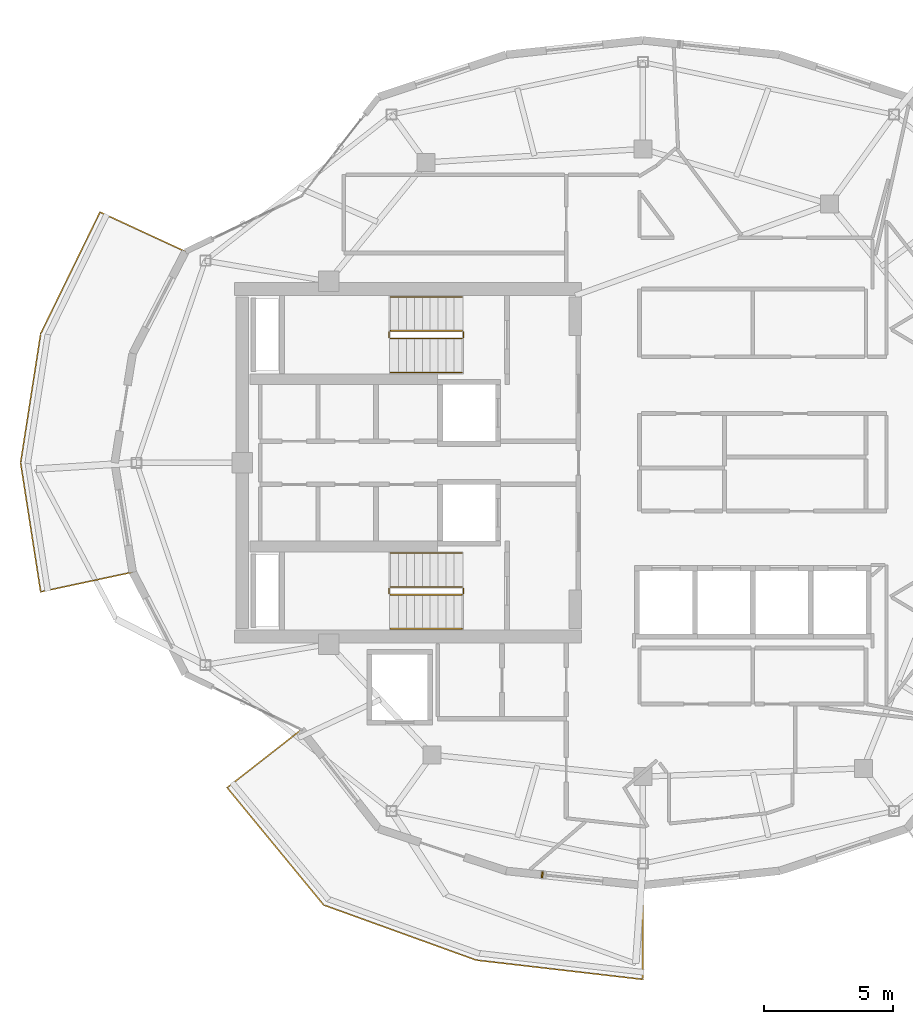
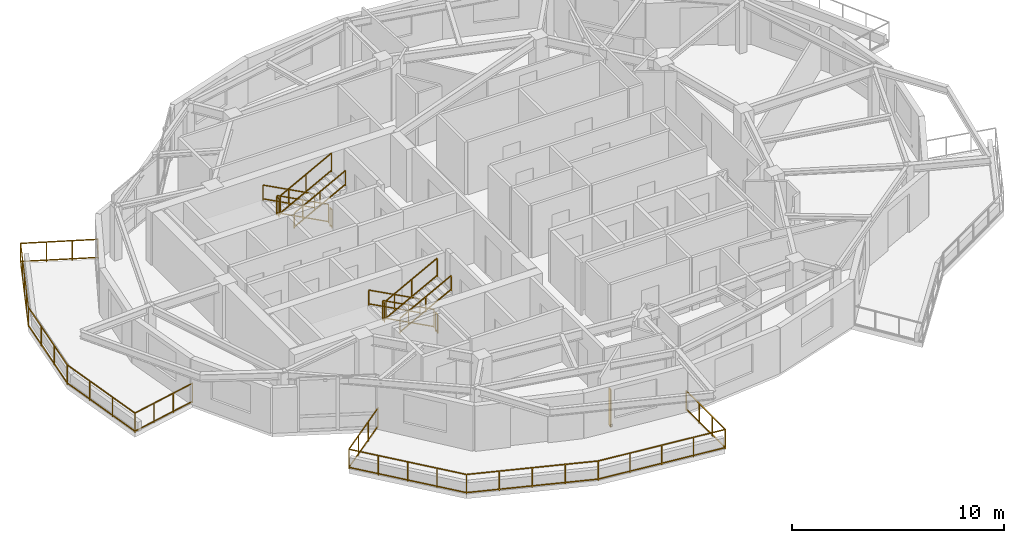
# One storey, part 13 of 14: 14 railings, 1 shading device.
"""IFC4 building model written with IfcOpenShell, lengths in metres."""

from ifc_helpers import new_model, si_unit, direction, frame, origin, origin_2d, place, context, subcontext, project, spatial, rectangle, extrude, material, type_object, element, save


model = new_model("IFC4")

# Units and contexts
model_context = context("Model", 3, precision=1e-05, world=origin(), true_north=direction((0.0, 1.0)))
body_context = subcontext(model_context, "Body", "Model", "MODEL_VIEW")
ifc_project = project(units=[si_unit("LENGTHUNIT", "METRE"), si_unit("AREAUNIT", "SQUARE_METRE"), si_unit("VOLUMEUNIT", "CUBIC_METRE"), si_unit("PLANEANGLEUNIT", "RADIAN"), si_unit("MASSUNIT", "GRAM", prefix="KILO")], contexts=[model_context])

# Site, building, storey
site_placement = place(None, origin())
site = spatial("IfcSite", under=ifc_project, at=site_placement, CompositionType="ELEMENT")
building_placement = place(site_placement, origin())
building = spatial("IfcBuilding", under=site, at=building_placement, Name="Kolvaren Gate Tower and Convention Centre", CompositionType="ELEMENT")
storey_placement = place(building_placement, frame((0.0, 0.0, 259.10009765625)))
storey = spatial("IfcBuildingStorey", under=building, at=storey_placement, Name="L70", CompositionType="ELEMENT", Elevation=259.10009765625)

# Railings
ifc_material_1 = material(Name="Brushed Stainless Steel Grade 316L", Category="steel")
railing_type_1 = type_object("IfcRailingType", Name="ARCH-RL-GUARD-1150", PredefinedType="GUARDRAIL", material=ifc_material_1)
railing_1_placement = place(storey_placement, frame((23.10009765625, 32.1298828125, 0.164794921875)))
element("IfcRailing", 1, at=railing_1_placement, inside=storey, type_object=railing_type_1, Name="L70 ST-T1 stair guard 1", PredefinedType="GUARDRAIL", context=body_context, shape_type="SweptSolid", body=[
    extrude(rectangle(XDim=0.048095703125, YDim=0.048095703125, at=origin_2d()), frame((0.0, 0.0, 1.076171875), z_axis=(-0.882735390775, 0.0, 0.469870439454), x_axis=(0.0, -1.0, 0.0)), (0.0, 0.0, 1.0), 3.16064453125),
    extrude(rectangle(XDim=0.048095703125, YDim=0.048095703125, at=origin_2d()), frame((0.0, 0.0, 0.083984375), z_axis=(-0.882735390775, 0.0, 0.469870439454), x_axis=(0.0, -1.0, 0.0)), (0.0, 0.0, 1.0), 3.16064453125),
    extrude(rectangle(XDim=0.0419921875, YDim=0.0419921875, at=origin_2d()), origin(), (0.0, 0.0, 1.0), 1.050048828125),
    extrude(rectangle(XDim=0.0419921875, YDim=0.0419921875, at=origin_2d()), frame((-2.7900390625, 0.0, 1.485107421875)), (0.0, 0.0, 1.0), 1.050048828125),
    extrude(rectangle(XDim=0.0419921875, YDim=0.0419921875, at=origin_2d()), frame((-1.39501953125, 0.0, 0.74267578125)), (0.0, 0.0, 1.0), 1.050048828125),
])
railing_2_placement = place(storey_placement, frame((20.260009765625, 32.080078125, 1.64990234375)))
element("IfcRailing", 2, at=railing_2_placement, inside=storey, type_object=railing_type_1, Name="L70 ST-T1 stair guard 2", PredefinedType="GUARDRAIL", context=body_context, shape_type="SweptSolid", body=[
    extrude(rectangle(XDim=0.048095703125, YDim=0.048095703125, at=origin_2d()), frame((0.0, 0.0, 1.076171875), z_axis=(0.0, -1.0, 0.0), x_axis=(1.0, 0.0, 0.0)), (0.0, 0.0, 1.0), 0.2001953125),
    extrude(rectangle(XDim=0.048095703125, YDim=0.048095703125, at=origin_2d()), frame((0.0, 0.0, 0.083984375), z_axis=(0.0, -1.0, 0.0), x_axis=(1.0, 0.0, 0.0)), (0.0, 0.0, 1.0), 0.2001953125),
    extrude(rectangle(XDim=0.0419921875, YDim=0.0419921875, at=origin_2d()), origin(), (0.0, 0.0, 1.0), 1.050048828125),
    extrude(rectangle(XDim=0.0419921875, YDim=0.0419921875, at=origin_2d()), frame((0.0, -0.2001953125, 0.0)), (0.0, 0.0, 1.0), 1.050048828125),
])
railing_3_placement = place(storey_placement, frame((20.31005859375, 31.830078125, 1.81494140625)))
element("IfcRailing", 3, at=railing_3_placement, inside=storey, type_object=railing_type_1, Name="L70 ST-T1 stair guard 3", PredefinedType="GUARDRAIL", context=body_context, shape_type="SweptSolid", body=[
    extrude(rectangle(XDim=0.048095703125, YDim=0.048095703125, at=origin_2d()), frame((0.0, 0.0, 1.076171875), z_axis=(0.882767428149, 0.0, 0.469810246588), x_axis=(0.0, 1.0, 0.0)), (0.0, 0.0, 1.0), 3.16064453125),
    extrude(rectangle(XDim=0.048095703125, YDim=0.048095703125, at=origin_2d()), frame((0.0, 0.0, 0.083984375), z_axis=(0.882767428149, 0.0, 0.469810246588), x_axis=(0.0, 1.0, 0.0)), (0.0, 0.0, 1.0), 3.16064453125),
    extrude(rectangle(XDim=0.0419921875, YDim=0.0419921875, at=origin_2d()), origin(), (0.0, 0.0, 1.0), 1.050048828125),
    extrude(rectangle(XDim=0.0419921875, YDim=0.0419921875, at=origin_2d()), frame((2.7900390625, 0.0, 1.48486328125)), (0.0, 0.0, 1.0), 1.050048828125),
    extrude(rectangle(XDim=0.0419921875, YDim=0.0419921875, at=origin_2d()), frame((1.39501953125, 0.0, 0.742431640625)), (0.0, 0.0, 1.0), 1.050048828125),
])
railing_4_placement = place(storey_placement, frame((23.14990234375, 32.080078125, 0.0)))
element("IfcRailing", 4, at=railing_4_placement, inside=storey, type_object=railing_type_1, Name="L70 ST-T1 stair guard 4", PredefinedType="GUARDRAIL", context=body_context, shape_type="SweptSolid", body=[
    extrude(rectangle(XDim=0.048095703125, YDim=0.048095703125, at=origin_2d()), frame((0.0, 0.0, 1.076171875), z_axis=(0.0, -1.0, 0.0), x_axis=(1.0, 0.0, 0.0)), (0.0, 0.0, 1.0), 0.2001953125),
    extrude(rectangle(XDim=0.048095703125, YDim=0.048095703125, at=origin_2d()), frame((0.0, 0.0, 0.083984375), z_axis=(0.0, -1.0, 0.0), x_axis=(1.0, 0.0, 0.0)), (0.0, 0.0, 1.0), 0.2001953125),
    extrude(rectangle(XDim=0.0419921875, YDim=0.0419921875, at=origin_2d()), origin(), (0.0, 0.0, 1.0), 1.050048828125),
    extrude(rectangle(XDim=0.0419921875, YDim=0.0419921875, at=origin_2d()), frame((0.0, -0.2001953125, 0.0)), (0.0, 0.0, 1.0), 1.050048828125),
])
railing_5_placement = place(storey_placement, frame((23.10009765625, 22.169921875, 0.164794921875)))
element("IfcRailing", 5, at=railing_5_placement, inside=storey, type_object=railing_type_1, Name="L70 ST-T2 stair guard 1", PredefinedType="GUARDRAIL", context=body_context, shape_type="SweptSolid", body=[
    extrude(rectangle(XDim=0.048095703125, YDim=0.048095703125, at=origin_2d()), frame((0.0, 0.0, 1.076171875), z_axis=(-0.882735390775, 0.0, 0.469870439454), x_axis=(0.0, -1.0, 0.0)), (0.0, 0.0, 1.0), 3.16064453125),
    extrude(rectangle(XDim=0.048095703125, YDim=0.048095703125, at=origin_2d()), frame((0.0, 0.0, 0.083984375), z_axis=(-0.882735390775, 0.0, 0.469870439454), x_axis=(0.0, -1.0, 0.0)), (0.0, 0.0, 1.0), 3.16064453125),
    extrude(rectangle(XDim=0.0419921875, YDim=0.0419921875, at=origin_2d()), origin(), (0.0, 0.0, 1.0), 1.050048828125),
    extrude(rectangle(XDim=0.0419921875, YDim=0.0419921875, at=origin_2d()), frame((-2.7900390625, 0.0, 1.485107421875)), (0.0, 0.0, 1.0), 1.050048828125),
    extrude(rectangle(XDim=0.0419921875, YDim=0.0419921875, at=origin_2d()), frame((-1.39501953125, 0.0, 0.74267578125)), (0.0, 0.0, 1.0), 1.050048828125),
])
railing_6_placement = place(storey_placement, frame((20.260009765625, 22.1201171875, 1.64990234375)))
element("IfcRailing", 6, at=railing_6_placement, inside=storey, type_object=railing_type_1, Name="L70 ST-T2 stair guard 2", PredefinedType="GUARDRAIL", context=body_context, shape_type="SweptSolid", body=[
    extrude(rectangle(XDim=0.048095703125, YDim=0.048095703125, at=origin_2d()), frame((0.0, 0.0, 1.076171875), z_axis=(0.0, -1.0, 0.0), x_axis=(1.0, 0.0, 0.0)), (0.0, 0.0, 1.0), 0.2001953125),
    extrude(rectangle(XDim=0.048095703125, YDim=0.048095703125, at=origin_2d()), frame((0.0, 0.0, 0.083984375), z_axis=(0.0, -1.0, 0.0), x_axis=(1.0, 0.0, 0.0)), (0.0, 0.0, 1.0), 0.2001953125),
    extrude(rectangle(XDim=0.0419921875, YDim=0.0419921875, at=origin_2d()), origin(), (0.0, 0.0, 1.0), 1.050048828125),
    extrude(rectangle(XDim=0.0419921875, YDim=0.0419921875, at=origin_2d()), frame((0.0, -0.2001953125, 0.0)), (0.0, 0.0, 1.0), 1.050048828125),
])
railing_7_placement = place(storey_placement, frame((20.31005859375, 21.8701171875, 1.81494140625)))
element("IfcRailing", 7, at=railing_7_placement, inside=storey, type_object=railing_type_1, Name="L70 ST-T2 stair guard 3", PredefinedType="GUARDRAIL", context=body_context, shape_type="SweptSolid", body=[
    extrude(rectangle(XDim=0.048095703125, YDim=0.048095703125, at=origin_2d()), frame((0.0, 0.0, 1.076171875), z_axis=(0.882767428149, 0.0, 0.469810246588), x_axis=(0.0, 1.0, 0.0)), (0.0, 0.0, 1.0), 3.16064453125),
    extrude(rectangle(XDim=0.048095703125, YDim=0.048095703125, at=origin_2d()), frame((0.0, 0.0, 0.083984375), z_axis=(0.882767428149, 0.0, 0.469810246588), x_axis=(0.0, 1.0, 0.0)), (0.0, 0.0, 1.0), 3.16064453125),
    extrude(rectangle(XDim=0.0419921875, YDim=0.0419921875, at=origin_2d()), origin(), (0.0, 0.0, 1.0), 1.050048828125),
    extrude(rectangle(XDim=0.0419921875, YDim=0.0419921875, at=origin_2d()), frame((2.7900390625, 0.0, 1.48486328125)), (0.0, 0.0, 1.0), 1.050048828125),
    extrude(rectangle(XDim=0.0419921875, YDim=0.0419921875, at=origin_2d()), frame((1.39501953125, 0.0, 0.742431640625)), (0.0, 0.0, 1.0), 1.050048828125),
])
railing_8_placement = place(storey_placement, frame((23.14990234375, 22.1201171875, 0.0)))
element("IfcRailing", 8, at=railing_8_placement, inside=storey, type_object=railing_type_1, Name="L70 ST-T2 stair guard 4", PredefinedType="GUARDRAIL", context=body_context, shape_type="SweptSolid", body=[
    extrude(rectangle(XDim=0.048095703125, YDim=0.048095703125, at=origin_2d()), frame((0.0, 0.0, 1.076171875), z_axis=(0.0, -1.0, 0.0), x_axis=(1.0, 0.0, 0.0)), (0.0, 0.0, 1.0), 0.2001953125),
    extrude(rectangle(XDim=0.048095703125, YDim=0.048095703125, at=origin_2d()), frame((0.0, 0.0, 0.083984375), z_axis=(0.0, -1.0, 0.0), x_axis=(1.0, 0.0, 0.0)), (0.0, 0.0, 1.0), 0.2001953125),
    extrude(rectangle(XDim=0.0419921875, YDim=0.0419921875, at=origin_2d()), origin(), (0.0, 0.0, 1.0), 1.050048828125),
    extrude(rectangle(XDim=0.0419921875, YDim=0.0419921875, at=origin_2d()), frame((0.0, -0.2001953125, 0.0)), (0.0, 0.0, 1.0), 1.050048828125),
])
railing_9_placement = place(storey_placement, frame((12.344482421875, 35.21240234375, 0.0)))
element("IfcRailing", 9, at=railing_9_placement, inside=storey, type_object=railing_type_1, Name="Tower L70 Terrace Perimeter Guardrail GR-2", PredefinedType="GUARDRAIL", context=body_context, shape_type="SweptSolid", body=[
    extrude(rectangle(XDim=0.048095703125, YDim=0.048095703125, at=origin_2d()), frame((-0.025390625, 0.01171875, 1.1259765625), z_axis=(-0.907820723829, 0.419358478377, 0.0), x_axis=(-0.419358478377, -0.907820723829, 0.0)), (0.0, 0.0, 1.0), 3.60400390625),
    extrude(rectangle(XDim=0.048095703125, YDim=0.048095703125, at=origin_2d()), frame((-0.025390625, 0.01171875, 0.083984375), z_axis=(-0.907820723829, 0.419358478377, 0.0), x_axis=(-0.419358478377, -0.907820723829, 0.0)), (0.0, 0.0, 1.0), 3.60400390625),
    extrude(rectangle(XDim=0.048095703125, YDim=0.048095703125, at=origin_2d()), frame((-3.3349609375, 1.509765625, 1.1259765625), z_axis=(-0.438469339137, -0.898746148051, 0.0), x_axis=(0.898746148051, -0.438469339137, 0.0)), (0.0, 0.0, 1.0), 5.20556640625),
    extrude(rectangle(XDim=0.048095703125, YDim=0.048095703125, at=origin_2d()), frame((-3.3349609375, 1.509765625, 0.083984375), z_axis=(-0.438469339137, -0.898746148051, 0.0), x_axis=(0.898746148051, -0.438469339137, 0.0)), (0.0, 0.0, 1.0), 5.20556640625),
    extrude(rectangle(XDim=0.048095703125, YDim=0.048095703125, at=origin_2d()), frame((-5.63427734375, -3.221923828125, 1.1259765625), z_axis=(-0.153733081728, -0.988112412422, 0.0), x_axis=(0.988112412422, -0.153733081728, 0.0)), (0.0, 0.0, 1.0), 5.022705078125),
    extrude(rectangle(XDim=0.048095703125, YDim=0.048095703125, at=origin_2d()), frame((-5.63427734375, -3.221923828125, 0.083984375), z_axis=(-0.153733081728, -0.988112412422, 0.0), x_axis=(0.988112412422, -0.153733081728, 0.0)), (0.0, 0.0, 1.0), 5.022705078125),
    extrude(rectangle(XDim=0.048095703125, YDim=0.048095703125, at=origin_2d()), frame((-6.40625, -8.240234375, 1.1259765625), z_axis=(0.153733081728, -0.988112412422, 0.0), x_axis=(0.988112412422, 0.153733081728, 0.0)), (0.0, 0.0, 1.0), 5.022705078125),
    extrude(rectangle(XDim=0.048095703125, YDim=0.048095703125, at=origin_2d()), frame((-6.40625, -8.240234375, 0.083984375), z_axis=(0.153733081728, -0.988112412422, 0.0), x_axis=(0.988112412422, 0.153733081728, 0.0)), (0.0, 0.0, 1.0), 5.022705078125),
    extrude(rectangle(XDim=0.048095703125, YDim=0.048095703125, at=origin_2d()), frame((-5.6025390625, -13.224853515625, 1.1259765625), z_axis=(0.977788745232, 0.209592866525, 0.0), x_axis=(-0.209592866525, 0.977788745232, 0.0)), (0.0, 0.0, 1.0), 3.603759765625),
    extrude(rectangle(XDim=0.048095703125, YDim=0.048095703125, at=origin_2d()), frame((-5.6025390625, -13.224853515625, 0.083984375), z_axis=(0.977788745232, 0.209592866525, 0.0), x_axis=(-0.209592866525, 0.977788745232, 0.0)), (0.0, 0.0, 1.0), 3.603759765625),
    extrude(rectangle(XDim=0.0419921875, YDim=0.0419921875, at=origin_2d()), origin(), (0.0, 0.0, 1.0), 1.14990234375),
    extrude(rectangle(XDim=0.0419921875, YDim=0.0419921875, at=origin_2d()), frame((-3.32275390625, 1.534912109375, 0.0)), (0.0, 0.0, 1.0), 1.14990234375),
    extrude(rectangle(XDim=0.0419921875, YDim=0.0419921875, at=origin_2d()), frame((-1.107666015625, 0.51171875, 0.0)), (0.0, 0.0, 1.0), 1.099853515625),
    extrude(rectangle(XDim=0.0419921875, YDim=0.0419921875, at=origin_2d()), frame((-2.215087890625, 1.023193359375, 0.0)), (0.0, 0.0, 1.0), 1.099853515625),
    extrude(rectangle(XDim=0.0419921875, YDim=0.0419921875, at=origin_2d()), frame((-5.6298828125, -3.194091796875, 0.0)), (0.0, 0.0, 1.0), 1.14990234375),
    extrude(rectangle(XDim=0.0419921875, YDim=0.0419921875, at=origin_2d()), frame((-3.8994140625, 0.3525390625, 0.0)), (0.0, 0.0, 1.0), 1.099853515625),
    extrude(rectangle(XDim=0.0419921875, YDim=0.0419921875, at=origin_2d()), frame((-4.476318359375, -0.82958984375, 0.0)), (0.0, 0.0, 1.0), 1.099853515625),
    extrude(rectangle(XDim=0.0419921875, YDim=0.0419921875, at=origin_2d()), frame((-5.05322265625, -2.01171875, 0.0)), (0.0, 0.0, 1.0), 1.099853515625),
    extrude(rectangle(XDim=0.0419921875, YDim=0.0419921875, at=origin_2d()), frame((-6.41064453125, -8.21240234375, 0.0)), (0.0, 0.0, 1.0), 1.14990234375),
    extrude(rectangle(XDim=0.0419921875, YDim=0.0419921875, at=origin_2d()), frame((-5.89013671875, -4.866943359375, 0.0)), (0.0, 0.0, 1.0), 1.099853515625),
    extrude(rectangle(XDim=0.0419921875, YDim=0.0419921875, at=origin_2d()), frame((-6.150390625, -6.53955078125, 0.0)), (0.0, 0.0, 1.0), 1.099853515625),
    extrude(rectangle(XDim=0.0419921875, YDim=0.0419921875, at=origin_2d()), frame((-5.6298828125, -13.230712890625, 0.0)), (0.0, 0.0, 1.0), 1.14990234375),
    extrude(rectangle(XDim=0.0419921875, YDim=0.0419921875, at=origin_2d()), frame((-6.150390625, -9.88525390625, 0.0)), (0.0, 0.0, 1.0), 1.099853515625),
    extrude(rectangle(XDim=0.0419921875, YDim=0.0419921875, at=origin_2d()), frame((-5.89013671875, -11.557861328125, 0.0)), (0.0, 0.0, 1.0), 1.099853515625),
    extrude(rectangle(XDim=0.0419921875, YDim=0.0419921875, at=origin_2d()), frame((-2.05126953125, -12.463623046875, 0.0)), (0.0, 0.0, 1.0), 1.14990234375),
    extrude(rectangle(XDim=0.0419921875, YDim=0.0419921875, at=origin_2d()), frame((-4.43701171875, -12.97509765625, 0.0)), (0.0, 0.0, 1.0), 1.099853515625),
    extrude(rectangle(XDim=0.0419921875, YDim=0.0419921875, at=origin_2d()), frame((-3.244140625, -12.71923828125, 0.0)), (0.0, 0.0, 1.0), 1.099853515625),
])
railing_10_placement = place(storey_placement, frame((16.84619140625, 16.62451171875, 0.0)))
element("IfcRailing", 10, at=railing_10_placement, inside=storey, type_object=railing_type_1, Name="Tower L70 Terrace Perimeter Guardrail GR-3", PredefinedType="GUARDRAIL", context=body_context, shape_type="SweptSolid", body=[
    extrude(rectangle(XDim=0.048095703125, YDim=0.048095703125, at=origin_2d()), frame((-0.022216796875, -0.017333984375, 1.1259765625), z_axis=(-0.787988976981, -0.61568934712, 0.0), x_axis=(0.61568934712, -0.787988976981, 0.0)), (0.0, 0.0, 1.0), 3.60400390625),
    extrude(rectangle(XDim=0.048095703125, YDim=0.048095703125, at=origin_2d()), frame((-0.022216796875, -0.017333984375, 0.083984375), z_axis=(-0.787988976981, -0.61568934712, 0.0), x_axis=(0.61568934712, -0.787988976981, 0.0)), (0.0, 0.0, 1.0), 3.60400390625),
    extrude(rectangle(XDim=0.048095703125, YDim=0.048095703125, at=origin_2d()), frame((-2.8662109375, -2.275146484375, 1.1259765625), z_axis=(0.635426304589, -0.772161519008, 0.0), x_axis=(0.772161519008, 0.635426304589, 0.0)), (0.0, 0.0, 1.0), 5.85400390625),
    extrude(rectangle(XDim=0.048095703125, YDim=0.048095703125, at=origin_2d()), frame((-2.8662109375, -2.275146484375, 0.083984375), z_axis=(0.635426304589, -0.772161519008, 0.0), x_axis=(0.772161519008, 0.635426304589, 0.0)), (0.0, 0.0, 1.0), 5.85400390625),
    extrude(rectangle(XDim=0.048095703125, YDim=0.048095703125, at=origin_2d()), frame((0.897705078125, -6.826416015625, 1.1259765625), z_axis=(0.940477613992, -0.339855642267, 0.0), x_axis=(0.339855642267, 0.940477613992, 0.0)), (0.0, 0.0, 1.0), 6.25048828125),
    extrude(rectangle(XDim=0.048095703125, YDim=0.048095703125, at=origin_2d()), frame((0.897705078125, -6.826416015625, 0.083984375), z_axis=(0.940477613992, -0.339855642267, 0.0), x_axis=(0.339855642267, 0.940477613992, 0.0)), (0.0, 0.0, 1.0), 6.25048828125),
    extrude(rectangle(XDim=0.048095703125, YDim=0.048095703125, at=origin_2d()), frame((6.830322265625, -8.96337890625, 1.1259765625), z_axis=(0.993373956815, -0.114926854656, 0.0), x_axis=(0.114926854656, 0.993373956815, 0.0)), (0.0, 0.0, 1.0), 6.46337890625),
    extrude(rectangle(XDim=0.048095703125, YDim=0.048095703125, at=origin_2d()), frame((6.830322265625, -8.96337890625, 0.083984375), z_axis=(0.993373956815, -0.114926854656, 0.0), x_axis=(0.114926854656, 0.993373956815, 0.0)), (0.0, 0.0, 1.0), 6.46337890625),
    extrude(rectangle(XDim=0.048095703125, YDim=0.048095703125, at=origin_2d()), frame((13.27880859375, -9.681396484375, 1.1259765625), z_axis=(0.0, 1.0, 0.0), x_axis=(-1.0, 0.0, 0.0)), (0.0, 0.0, 1.0), 3.603759765625),
    extrude(rectangle(XDim=0.048095703125, YDim=0.048095703125, at=origin_2d()), frame((13.27880859375, -9.681396484375, 0.083984375), z_axis=(0.0, 1.0, 0.0), x_axis=(-1.0, 0.0, 0.0)), (0.0, 0.0, 1.0), 3.603759765625),
    extrude(rectangle(XDim=0.0419921875, YDim=0.0419921875, at=origin_2d()), origin(), (0.0, 0.0, 1.0), 1.14990234375),
    extrude(rectangle(XDim=0.0419921875, YDim=0.0419921875, at=origin_2d()), frame((-2.884033203125, -2.25341796875, 0.0)), (0.0, 0.0, 1.0), 1.14990234375),
    extrude(rectangle(XDim=0.0419921875, YDim=0.0419921875, at=origin_2d()), frame((-0.96142578125, -0.751220703125, 0.0)), (0.0, 0.0, 1.0), 1.099853515625),
    extrude(rectangle(XDim=0.0419921875, YDim=0.0419921875, at=origin_2d()), frame((-1.922607421875, -1.502197265625, 0.0)), (0.0, 0.0, 1.0), 1.099853515625),
    extrude(rectangle(XDim=0.0419921875, YDim=0.0419921875, at=origin_2d()), frame((0.871337890625, -6.81689453125, 0.0)), (0.0, 0.0, 1.0), 1.14990234375),
    extrude(rectangle(XDim=0.0419921875, YDim=0.0419921875, at=origin_2d()), frame((-1.9453125, -3.394287109375, 0.0)), (0.0, 0.0, 1.0), 1.099853515625),
    extrude(rectangle(XDim=0.0419921875, YDim=0.0419921875, at=origin_2d()), frame((-1.00634765625, -4.53515625, 0.0)), (0.0, 0.0, 1.0), 1.099853515625),
    extrude(rectangle(XDim=0.0419921875, YDim=0.0419921875, at=origin_2d()), frame((-0.0673828125, -5.676025390625, 0.0)), (0.0, 0.0, 1.0), 1.099853515625),
    extrude(rectangle(XDim=0.0419921875, YDim=0.0419921875, at=origin_2d()), frame((6.802490234375, -8.960205078125, 0.0)), (0.0, 0.0, 1.0), 1.14990234375),
    extrude(rectangle(XDim=0.0419921875, YDim=0.0419921875, at=origin_2d()), frame((2.35400390625, -7.352783203125, 0.0)), (0.0, 0.0, 1.0), 1.099853515625),
    extrude(rectangle(XDim=0.0419921875, YDim=0.0419921875, at=origin_2d()), frame((3.8369140625, -7.888671875, 0.0)), (0.0, 0.0, 1.0), 1.099853515625),
    extrude(rectangle(XDim=0.0419921875, YDim=0.0419921875, at=origin_2d()), frame((5.31982421875, -8.42431640625, 0.0)), (0.0, 0.0, 1.0), 1.099853515625),
    extrude(rectangle(XDim=0.0419921875, YDim=0.0419921875, at=origin_2d()), frame((13.27880859375, -9.70947265625, 0.0)), (0.0, 0.0, 1.0), 1.14990234375),
    extrude(rectangle(XDim=0.0419921875, YDim=0.0419921875, at=origin_2d()), frame((8.421630859375, -9.1474609375, 0.0)), (0.0, 0.0, 1.0), 1.099853515625),
    extrude(rectangle(XDim=0.0419921875, YDim=0.0419921875, at=origin_2d()), frame((10.04052734375, -9.3349609375, 0.0)), (0.0, 0.0, 1.0), 1.099853515625),
    extrude(rectangle(XDim=0.0419921875, YDim=0.0419921875, at=origin_2d()), frame((11.65966796875, -9.522216796875, 0.0)), (0.0, 0.0, 1.0), 1.099853515625),
    extrude(rectangle(XDim=0.0419921875, YDim=0.0419921875, at=origin_2d()), frame((13.27880859375, -6.049560546875, 0.0)), (0.0, 0.0, 1.0), 1.14990234375),
    extrude(rectangle(XDim=0.0419921875, YDim=0.0419921875, at=origin_2d()), frame((13.27880859375, -8.489501953125, 0.0)), (0.0, 0.0, 1.0), 1.099853515625),
    extrude(rectangle(XDim=0.0419921875, YDim=0.0419921875, at=origin_2d()), frame((13.27880859375, -7.26953125, 0.0)), (0.0, 0.0, 1.0), 1.099853515625),
])
railing_type_2 = type_object("IfcRailingType", Name="ARCH-RL-HANDRAIL-920", PredefinedType="HANDRAIL", material=ifc_material_1)
railing_11_placement = place(storey_placement, frame((23.10009765625, 33.449951171875, 0.164794921875)))
element("IfcRailing", 11, at=railing_11_placement, inside=storey, type_object=railing_type_2, Name="L70 ST-T1 stair handrail 1", PredefinedType="HANDRAIL", context=body_context, shape_type="SweptSolid", body=[
    extrude(rectangle(XDim=0.048095703125, YDim=0.048095703125, at=origin_2d()), frame((0.0, 0.0, 0.8759765625), z_axis=(-0.882735390775, 0.0, 0.469870439454), x_axis=(0.0, -1.0, 0.0)), (0.0, 0.0, 1.0), 3.16064453125),
    extrude(rectangle(XDim=0.048095703125, YDim=0.048095703125, at=origin_2d()), frame((0.0, 0.0, 0.083984375), z_axis=(-0.882735390775, 0.0, 0.469870439454), x_axis=(0.0, -1.0, 0.0)), (0.0, 0.0, 1.0), 3.16064453125),
    extrude(rectangle(XDim=0.0419921875, YDim=0.0419921875, at=origin_2d()), origin(), (0.0, 0.0, 1.0), 0.849853515625),
    extrude(rectangle(XDim=0.0419921875, YDim=0.0419921875, at=origin_2d()), frame((-2.7900390625, 0.0, 1.485107421875)), (0.0, 0.0, 1.0), 0.849853515625),
    extrude(rectangle(XDim=0.0419921875, YDim=0.0419921875, at=origin_2d()), frame((-1.39501953125, 0.0, 0.74267578125)), (0.0, 0.0, 1.0), 0.849853515625),
])
railing_12_placement = place(storey_placement, frame((20.31005859375, 30.510009765625, 1.81494140625)))
element("IfcRailing", 12, at=railing_12_placement, inside=storey, type_object=railing_type_2, Name="L70 ST-T1 stair handrail 2", PredefinedType="HANDRAIL", context=body_context, shape_type="SweptSolid", body=[
    extrude(rectangle(XDim=0.048095703125, YDim=0.048095703125, at=origin_2d()), frame((0.0, 0.0, 0.8759765625), z_axis=(0.882767428149, 0.0, 0.469810246588), x_axis=(0.0, 1.0, 0.0)), (0.0, 0.0, 1.0), 3.16064453125),
    extrude(rectangle(XDim=0.048095703125, YDim=0.048095703125, at=origin_2d()), frame((0.0, 0.0, 0.083984375), z_axis=(0.882767428149, 0.0, 0.469810246588), x_axis=(0.0, 1.0, 0.0)), (0.0, 0.0, 1.0), 3.16064453125),
    extrude(rectangle(XDim=0.0419921875, YDim=0.0419921875, at=origin_2d()), origin(), (0.0, 0.0, 1.0), 0.849853515625),
    extrude(rectangle(XDim=0.0419921875, YDim=0.0419921875, at=origin_2d()), frame((2.7900390625, 0.0, 1.48486328125)), (0.0, 0.0, 1.0), 0.849853515625),
    extrude(rectangle(XDim=0.0419921875, YDim=0.0419921875, at=origin_2d()), frame((1.39501953125, 0.0, 0.742431640625)), (0.0, 0.0, 1.0), 0.849853515625),
])
railing_13_placement = place(storey_placement, frame((23.10009765625, 23.489990234375, 0.164794921875)))
element("IfcRailing", 13, at=railing_13_placement, inside=storey, type_object=railing_type_2, Name="L70 ST-T2 stair handrail 1", PredefinedType="HANDRAIL", context=body_context, shape_type="SweptSolid", body=[
    extrude(rectangle(XDim=0.048095703125, YDim=0.048095703125, at=origin_2d()), frame((0.0, 0.0, 0.8759765625), z_axis=(-0.882735390775, 0.0, 0.469870439454), x_axis=(0.0, -1.0, 0.0)), (0.0, 0.0, 1.0), 3.16064453125),
    extrude(rectangle(XDim=0.048095703125, YDim=0.048095703125, at=origin_2d()), frame((0.0, 0.0, 0.083984375), z_axis=(-0.882735390775, 0.0, 0.469870439454), x_axis=(0.0, -1.0, 0.0)), (0.0, 0.0, 1.0), 3.16064453125),
    extrude(rectangle(XDim=0.0419921875, YDim=0.0419921875, at=origin_2d()), origin(), (0.0, 0.0, 1.0), 0.849853515625),
    extrude(rectangle(XDim=0.0419921875, YDim=0.0419921875, at=origin_2d()), frame((-2.7900390625, 0.0, 1.485107421875)), (0.0, 0.0, 1.0), 0.849853515625),
    extrude(rectangle(XDim=0.0419921875, YDim=0.0419921875, at=origin_2d()), frame((-1.39501953125, 0.0, 0.74267578125)), (0.0, 0.0, 1.0), 0.849853515625),
])
railing_14_placement = place(storey_placement, frame((20.31005859375, 20.550048828125, 1.81494140625)))
element("IfcRailing", 14, at=railing_14_placement, inside=storey, type_object=railing_type_2, Name="L70 ST-T2 stair handrail 2", PredefinedType="HANDRAIL", context=body_context, shape_type="SweptSolid", body=[
    extrude(rectangle(XDim=0.048095703125, YDim=0.048095703125, at=origin_2d()), frame((0.0, 0.0, 0.8759765625), z_axis=(0.882767428149, 0.0, 0.469810246588), x_axis=(0.0, 1.0, 0.0)), (0.0, 0.0, 1.0), 3.16064453125),
    extrude(rectangle(XDim=0.048095703125, YDim=0.048095703125, at=origin_2d()), frame((0.0, 0.0, 0.083984375), z_axis=(0.882767428149, 0.0, 0.469810246588), x_axis=(0.0, 1.0, 0.0)), (0.0, 0.0, 1.0), 3.16064453125),
    extrude(rectangle(XDim=0.0419921875, YDim=0.0419921875, at=origin_2d()), origin(), (0.0, 0.0, 1.0), 0.849853515625),
    extrude(rectangle(XDim=0.0419921875, YDim=0.0419921875, at=origin_2d()), frame((2.7900390625, 0.0, 1.48486328125)), (0.0, 0.0, 1.0), 0.849853515625),
    extrude(rectangle(XDim=0.0419921875, YDim=0.0419921875, at=origin_2d()), frame((1.39501953125, 0.0, 0.742431640625)), (0.0, 0.0, 1.0), 0.849853515625),
])

# Shading device
ifc_material_2 = material(Name="Kiln-Fired Bogota Terracotta Ceramic Louvre Profile", Category="masonry")
shading_device_type = type_object("IfcShadingDeviceType", Name="ARCH-SHD-FIN-180", PredefinedType="JALOUSIE", material=ifc_material_2)
shading_device_placement = place(storey_placement, frame((26.21533203125, 10.98681640625, 0.219970703125), z_axis=(0.0, 0.0, 1.0), x_axis=(0.994498701491, -0.104748903254, 0.0)))
element("IfcShadingDevice", 15, at=shading_device_placement, inside=storey, type_object=shading_device_type, Name="Ceramic Vertical Brise-Soleil Fin FN-L70-17", PredefinedType="JALOUSIE", context=body_context, shape_type="SweptSolid", body=[
    extrude(rectangle(XDim=0.06005859375, YDim=0.239990234375, at=origin_2d()), origin(), (0.0, 0.0, 1.0), 2.14990234375),
])

save(model, "model.ifc")
